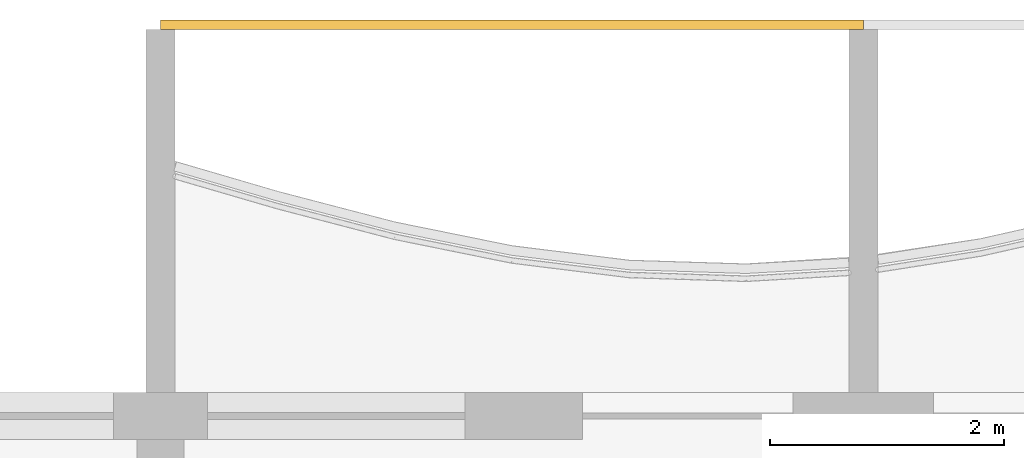
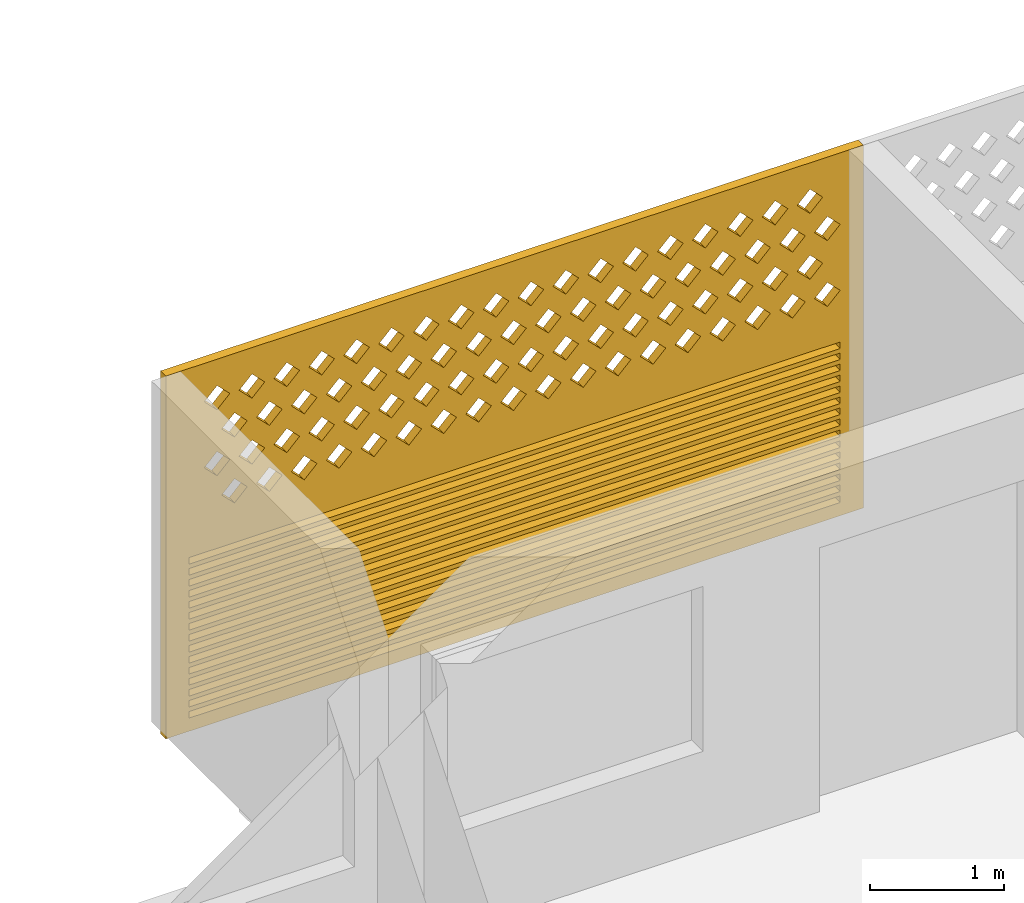
# One storey, part 42 of 44: 1 covering.
"""IFC4 building model written with IfcOpenShell, lengths in metres."""

from ifc_helpers import new_model, si_unit, direction, frame, origin, place, context, subcontext, project, spatial, polyline, outline, extrude, source, transform, mapped, material, material_profile, profile_set, type_object, element, save


model = new_model("IFC4")

# Units and contexts
model_context = context("Model", 3, precision=1e-05, world=origin(), true_north=direction((0.0, 1.0)))
body_context = subcontext(model_context, "Body", "Model", "MODEL_VIEW")
ifc_project = project(units=[si_unit("LENGTHUNIT", "METRE"), si_unit("AREAUNIT", "SQUARE_METRE"), si_unit("VOLUMEUNIT", "CUBIC_METRE"), si_unit("PLANEANGLEUNIT", "RADIAN"), si_unit("MASSUNIT", "GRAM", prefix="KILO")], contexts=[model_context])

# Site, building, storey
site_placement = place(None, origin())
site = spatial("IfcSite", under=ifc_project, at=site_placement, CompositionType="ELEMENT")
building_placement = place(site_placement, origin())
building = spatial("IfcBuilding", under=site, at=building_placement, Name="Poui Terraces", CompositionType="ELEMENT")
storey_placement = place(building_placement, frame((0.0, 0.0, 26.699951171875)))
storey = spatial("IfcBuildingStorey", under=building, at=storey_placement, Name="L06", CompositionType="ELEMENT", Elevation=26.699951171875)

# Covering
ifc_material = material(Name="Terracotta screen", Category="masonry")
ifc_material_profile = material_profile(ifc_material, outline(polyline([(-3.0, -1.64990234375), (3.0, -1.64990234375), (3.0, 1.64990234375), (-3.0, 1.64990234375), (-3.0, -1.64990234375)]), holes=[polyline([(-2.800048828125, 0.39990234375), (-2.68994140625, 0.2900390625), (-2.580078125, 0.39990234375), (-2.68994140625, 0.510009765625), (-2.800048828125, 0.39990234375)]), polyline([(-2.5, 0.39990234375), (-2.389892578125, 0.2900390625), (-2.280029296875, 0.39990234375), (-2.389892578125, 0.510009765625), (-2.5, 0.39990234375)]), polyline([(-2.199951171875, 0.39990234375), (-2.090087890625, 0.2900390625), (-1.97998046875, 0.39990234375), (-2.090087890625, 0.510009765625), (-2.199951171875, 0.39990234375)]), polyline([(-1.89990234375, 0.39990234375), (-1.7900390625, 0.2900390625), (-1.679931640625, 0.39990234375), (-1.7900390625, 0.510009765625), (-1.89990234375, 0.39990234375)]), polyline([(-1.60009765625, 0.39990234375), (-1.489990234375, 0.2900390625), (-1.3798828125, 0.39990234375), (-1.489990234375, 0.510009765625), (-1.60009765625, 0.39990234375)]), polyline([(-1.300048828125, 0.39990234375), (-1.18994140625, 0.2900390625), (-1.080078125, 0.39990234375), (-1.18994140625, 0.510009765625), (-1.300048828125, 0.39990234375)]), polyline([(-1.0, 0.39990234375), (-0.889892578125, 0.2900390625), (-0.780029296875, 0.39990234375), (-0.889892578125, 0.510009765625), (-1.0, 0.39990234375)]), polyline([(-0.699951171875, 0.39990234375), (-0.590087890625, 0.2900390625), (-0.47998046875, 0.39990234375), (-0.590087890625, 0.510009765625), (-0.699951171875, 0.39990234375)]), polyline([(-0.39990234375, 0.39990234375), (-0.2900390625, 0.2900390625), (-0.179931640625, 0.39990234375), (-0.2900390625, 0.510009765625), (-0.39990234375, 0.39990234375)]), polyline([(-0.10009765625, 0.39990234375), (0.010009765625, 0.2900390625), (0.1201171875, 0.39990234375), (0.010009765625, 0.510009765625), (-0.10009765625, 0.39990234375)]), polyline([(0.199951171875, 0.39990234375), (0.31005859375, 0.2900390625), (0.419921875, 0.39990234375), (0.31005859375, 0.510009765625), (0.199951171875, 0.39990234375)]), polyline([(0.5, 0.39990234375), (0.610107421875, 0.2900390625), (0.719970703125, 0.39990234375), (0.610107421875, 0.510009765625), (0.5, 0.39990234375)]), polyline([(0.800048828125, 0.39990234375), (0.909912109375, 0.2900390625), (1.02001953125, 0.39990234375), (0.909912109375, 0.510009765625), (0.800048828125, 0.39990234375)]), polyline([(1.10009765625, 0.39990234375), (1.2099609375, 0.2900390625), (1.320068359375, 0.39990234375), (1.2099609375, 0.510009765625), (1.10009765625, 0.39990234375)]), polyline([(1.39990234375, 0.39990234375), (1.510009765625, 0.2900390625), (1.6201171875, 0.39990234375), (1.510009765625, 0.510009765625), (1.39990234375, 0.39990234375)]), polyline([(1.699951171875, 0.39990234375), (1.81005859375, 0.2900390625), (1.919921875, 0.39990234375), (1.81005859375, 0.510009765625), (1.699951171875, 0.39990234375)]), polyline([(2.0, 0.39990234375), (2.110107421875, 0.2900390625), (2.219970703125, 0.39990234375), (2.110107421875, 0.510009765625), (2.0, 0.39990234375)]), polyline([(2.300048828125, 0.39990234375), (2.409912109375, 0.2900390625), (2.52001953125, 0.39990234375), (2.409912109375, 0.510009765625), (2.300048828125, 0.39990234375)]), polyline([(-2.64990234375, 0.699951171875), (-2.5400390625, 0.590087890625), (-2.429931640625, 0.699951171875), (-2.5400390625, 0.81005859375), (-2.64990234375, 0.699951171875)]), polyline([(-2.35009765625, 0.699951171875), (-2.239990234375, 0.590087890625), (-2.1298828125, 0.699951171875), (-2.239990234375, 0.81005859375), (-2.35009765625, 0.699951171875)]), polyline([(-2.050048828125, 0.699951171875), (-1.93994140625, 0.590087890625), (-1.830078125, 0.699951171875), (-1.93994140625, 0.81005859375), (-2.050048828125, 0.699951171875)]), polyline([(-1.75, 0.699951171875), (-1.639892578125, 0.590087890625), (-1.530029296875, 0.699951171875), (-1.639892578125, 0.81005859375), (-1.75, 0.699951171875)]), polyline([(-1.449951171875, 0.699951171875), (-1.340087890625, 0.590087890625), (-1.22998046875, 0.699951171875), (-1.340087890625, 0.81005859375), (-1.449951171875, 0.699951171875)]), polyline([(-1.14990234375, 0.699951171875), (-1.0400390625, 0.590087890625), (-0.929931640625, 0.699951171875), (-1.0400390625, 0.81005859375), (-1.14990234375, 0.699951171875)]), polyline([(-0.85009765625, 0.699951171875), (-0.739990234375, 0.590087890625), (-0.6298828125, 0.699951171875), (-0.739990234375, 0.81005859375), (-0.85009765625, 0.699951171875)]), polyline([(-0.550048828125, 0.699951171875), (-0.43994140625, 0.590087890625), (-0.330078125, 0.699951171875), (-0.43994140625, 0.81005859375), (-0.550048828125, 0.699951171875)]), polyline([(-0.25, 0.699951171875), (-0.139892578125, 0.590087890625), (-0.030029296875, 0.699951171875), (-0.139892578125, 0.81005859375), (-0.25, 0.699951171875)]), polyline([(0.050048828125, 0.699951171875), (0.159912109375, 0.590087890625), (0.27001953125, 0.699951171875), (0.159912109375, 0.81005859375), (0.050048828125, 0.699951171875)]), polyline([(0.35009765625, 0.699951171875), (0.4599609375, 0.590087890625), (0.570068359375, 0.699951171875), (0.4599609375, 0.81005859375), (0.35009765625, 0.699951171875)]), polyline([(0.64990234375, 0.699951171875), (0.760009765625, 0.590087890625), (0.8701171875, 0.699951171875), (0.760009765625, 0.81005859375), (0.64990234375, 0.699951171875)]), polyline([(0.949951171875, 0.699951171875), (1.06005859375, 0.590087890625), (1.169921875, 0.699951171875), (1.06005859375, 0.81005859375), (0.949951171875, 0.699951171875)]), polyline([(1.25, 0.699951171875), (1.360107421875, 0.590087890625), (1.469970703125, 0.699951171875), (1.360107421875, 0.81005859375), (1.25, 0.699951171875)]), polyline([(1.550048828125, 0.699951171875), (1.659912109375, 0.590087890625), (1.77001953125, 0.699951171875), (1.659912109375, 0.81005859375), (1.550048828125, 0.699951171875)]), polyline([(1.85009765625, 0.699951171875), (1.9599609375, 0.590087890625), (2.070068359375, 0.699951171875), (1.9599609375, 0.81005859375), (1.85009765625, 0.699951171875)]), polyline([(2.14990234375, 0.699951171875), (2.260009765625, 0.590087890625), (2.3701171875, 0.699951171875), (2.260009765625, 0.81005859375), (2.14990234375, 0.699951171875)]), polyline([(2.449951171875, 0.699951171875), (2.56005859375, 0.590087890625), (2.669921875, 0.699951171875), (2.56005859375, 0.81005859375), (2.449951171875, 0.699951171875)]), polyline([(-2.800048828125, 1.0), (-2.68994140625, 0.889892578125), (-2.580078125, 1.0), (-2.68994140625, 1.110107421875), (-2.800048828125, 1.0)]), polyline([(-2.5, 1.0), (-2.389892578125, 0.889892578125), (-2.280029296875, 1.0), (-2.389892578125, 1.110107421875), (-2.5, 1.0)]), polyline([(-2.199951171875, 1.0), (-2.090087890625, 0.889892578125), (-1.97998046875, 1.0), (-2.090087890625, 1.110107421875), (-2.199951171875, 1.0)]), polyline([(-1.89990234375, 1.0), (-1.7900390625, 0.889892578125), (-1.679931640625, 1.0), (-1.7900390625, 1.110107421875), (-1.89990234375, 1.0)]), polyline([(-1.60009765625, 1.0), (-1.489990234375, 0.889892578125), (-1.3798828125, 1.0), (-1.489990234375, 1.110107421875), (-1.60009765625, 1.0)]), polyline([(-1.300048828125, 1.0), (-1.18994140625, 0.889892578125), (-1.080078125, 1.0), (-1.18994140625, 1.110107421875), (-1.300048828125, 1.0)]), polyline([(-1.0, 1.0), (-0.889892578125, 0.889892578125), (-0.780029296875, 1.0), (-0.889892578125, 1.110107421875), (-1.0, 1.0)]), polyline([(-0.699951171875, 1.0), (-0.590087890625, 0.889892578125), (-0.47998046875, 1.0), (-0.590087890625, 1.110107421875), (-0.699951171875, 1.0)]), polyline([(-0.39990234375, 1.0), (-0.2900390625, 0.889892578125), (-0.179931640625, 1.0), (-0.2900390625, 1.110107421875), (-0.39990234375, 1.0)]), polyline([(-0.10009765625, 1.0), (0.010009765625, 0.889892578125), (0.1201171875, 1.0), (0.010009765625, 1.110107421875), (-0.10009765625, 1.0)]), polyline([(0.199951171875, 1.0), (0.31005859375, 0.889892578125), (0.419921875, 1.0), (0.31005859375, 1.110107421875), (0.199951171875, 1.0)]), polyline([(0.5, 1.0), (0.610107421875, 0.889892578125), (0.719970703125, 1.0), (0.610107421875, 1.110107421875), (0.5, 1.0)]), polyline([(0.800048828125, 1.0), (0.909912109375, 0.889892578125), (1.02001953125, 1.0), (0.909912109375, 1.110107421875), (0.800048828125, 1.0)]), polyline([(1.10009765625, 1.0), (1.2099609375, 0.889892578125), (1.320068359375, 1.0), (1.2099609375, 1.110107421875), (1.10009765625, 1.0)]), polyline([(1.39990234375, 1.0), (1.510009765625, 0.889892578125), (1.6201171875, 1.0), (1.510009765625, 1.110107421875), (1.39990234375, 1.0)]), polyline([(1.699951171875, 1.0), (1.81005859375, 0.889892578125), (1.919921875, 1.0), (1.81005859375, 1.110107421875), (1.699951171875, 1.0)]), polyline([(2.0, 1.0), (2.110107421875, 0.889892578125), (2.219970703125, 1.0), (2.110107421875, 1.110107421875), (2.0, 1.0)]), polyline([(2.300048828125, 1.0), (2.409912109375, 0.889892578125), (2.52001953125, 1.0), (2.409912109375, 1.110107421875), (2.300048828125, 1.0)]), polyline([(-2.64990234375, 1.300048828125), (-2.5400390625, 1.18994140625), (-2.429931640625, 1.300048828125), (-2.5400390625, 1.409912109375), (-2.64990234375, 1.300048828125)]), polyline([(-2.35009765625, 1.300048828125), (-2.239990234375, 1.18994140625), (-2.1298828125, 1.300048828125), (-2.239990234375, 1.409912109375), (-2.35009765625, 1.300048828125)]), polyline([(-2.050048828125, 1.300048828125), (-1.93994140625, 1.18994140625), (-1.830078125, 1.300048828125), (-1.93994140625, 1.409912109375), (-2.050048828125, 1.300048828125)]), polyline([(-1.75, 1.300048828125), (-1.639892578125, 1.18994140625), (-1.530029296875, 1.300048828125), (-1.639892578125, 1.409912109375), (-1.75, 1.300048828125)]), polyline([(-1.449951171875, 1.300048828125), (-1.340087890625, 1.18994140625), (-1.22998046875, 1.300048828125), (-1.340087890625, 1.409912109375), (-1.449951171875, 1.300048828125)]), polyline([(-1.14990234375, 1.300048828125), (-1.0400390625, 1.18994140625), (-0.929931640625, 1.300048828125), (-1.0400390625, 1.409912109375), (-1.14990234375, 1.300048828125)]), polyline([(-0.85009765625, 1.300048828125), (-0.739990234375, 1.18994140625), (-0.6298828125, 1.300048828125), (-0.739990234375, 1.409912109375), (-0.85009765625, 1.300048828125)]), polyline([(-0.550048828125, 1.300048828125), (-0.43994140625, 1.18994140625), (-0.330078125, 1.300048828125), (-0.43994140625, 1.409912109375), (-0.550048828125, 1.300048828125)]), polyline([(-0.25, 1.300048828125), (-0.139892578125, 1.18994140625), (-0.030029296875, 1.300048828125), (-0.139892578125, 1.409912109375), (-0.25, 1.300048828125)]), polyline([(0.050048828125, 1.300048828125), (0.159912109375, 1.18994140625), (0.27001953125, 1.300048828125), (0.159912109375, 1.409912109375), (0.050048828125, 1.300048828125)]), polyline([(0.35009765625, 1.300048828125), (0.4599609375, 1.18994140625), (0.570068359375, 1.300048828125), (0.4599609375, 1.409912109375), (0.35009765625, 1.300048828125)]), polyline([(0.64990234375, 1.300048828125), (0.760009765625, 1.18994140625), (0.8701171875, 1.300048828125), (0.760009765625, 1.409912109375), (0.64990234375, 1.300048828125)]), polyline([(0.949951171875, 1.300048828125), (1.06005859375, 1.18994140625), (1.169921875, 1.300048828125), (1.06005859375, 1.409912109375), (0.949951171875, 1.300048828125)]), polyline([(1.25, 1.300048828125), (1.360107421875, 1.18994140625), (1.469970703125, 1.300048828125), (1.360107421875, 1.409912109375), (1.25, 1.300048828125)]), polyline([(1.550048828125, 1.300048828125), (1.659912109375, 1.18994140625), (1.77001953125, 1.300048828125), (1.659912109375, 1.409912109375), (1.550048828125, 1.300048828125)]), polyline([(1.85009765625, 1.300048828125), (1.9599609375, 1.18994140625), (2.070068359375, 1.300048828125), (1.9599609375, 1.409912109375), (1.85009765625, 1.300048828125)]), polyline([(2.14990234375, 1.300048828125), (2.260009765625, 1.18994140625), (2.3701171875, 1.300048828125), (2.260009765625, 1.409912109375), (2.14990234375, 1.300048828125)]), polyline([(2.449951171875, 1.300048828125), (2.56005859375, 1.18994140625), (2.669921875, 1.300048828125), (2.56005859375, 1.409912109375), (2.449951171875, 1.300048828125)]), polyline([(-2.800048828125, -1.530029296875), (2.800048828125, -1.530029296875), (2.800048828125, -1.469970703125), (-2.800048828125, -1.469970703125), (-2.800048828125, -1.530029296875)]), polyline([(-2.800048828125, -1.429931640625), (2.800048828125, -1.429931640625), (2.800048828125, -1.3701171875), (-2.800048828125, -1.3701171875), (-2.800048828125, -1.429931640625)]), polyline([(-2.800048828125, -1.330078125), (2.800048828125, -1.330078125), (2.800048828125, -1.27001953125), (-2.800048828125, -1.27001953125), (-2.800048828125, -1.330078125)]), polyline([(-2.800048828125, -1.22998046875), (2.800048828125, -1.22998046875), (2.800048828125, -1.169921875), (-2.800048828125, -1.169921875), (-2.800048828125, -1.22998046875)]), polyline([(-2.800048828125, -1.1298828125), (2.800048828125, -1.1298828125), (2.800048828125, -1.070068359375), (-2.800048828125, -1.070068359375), (-2.800048828125, -1.1298828125)]), polyline([(-2.800048828125, -1.030029296875), (2.800048828125, -1.030029296875), (2.800048828125, -0.969970703125), (-2.800048828125, -0.969970703125), (-2.800048828125, -1.030029296875)]), polyline([(-2.800048828125, -0.929931640625), (2.800048828125, -0.929931640625), (2.800048828125, -0.8701171875), (-2.800048828125, -0.8701171875), (-2.800048828125, -0.929931640625)]), polyline([(-2.800048828125, -0.830078125), (2.800048828125, -0.830078125), (2.800048828125, -0.77001953125), (-2.800048828125, -0.77001953125), (-2.800048828125, -0.830078125)]), polyline([(-2.800048828125, -0.72998046875), (2.800048828125, -0.72998046875), (2.800048828125, -0.669921875), (-2.800048828125, -0.669921875), (-2.800048828125, -0.72998046875)]), polyline([(-2.800048828125, -0.6298828125), (2.800048828125, -0.6298828125), (2.800048828125, -0.570068359375), (-2.800048828125, -0.570068359375), (-2.800048828125, -0.6298828125)]), polyline([(-2.800048828125, -0.530029296875), (2.800048828125, -0.530029296875), (2.800048828125, -0.469970703125), (-2.800048828125, -0.469970703125), (-2.800048828125, -0.530029296875)]), polyline([(-2.800048828125, -0.429931640625), (2.800048828125, -0.429931640625), (2.800048828125, -0.3701171875), (-2.800048828125, -0.3701171875), (-2.800048828125, -0.429931640625)]), polyline([(-2.800048828125, -0.330078125), (2.800048828125, -0.330078125), (2.800048828125, -0.27001953125), (-2.800048828125, -0.27001953125), (-2.800048828125, -0.330078125)]), polyline([(-2.800048828125, -0.22998046875), (2.800048828125, -0.22998046875), (2.800048828125, -0.169921875), (-2.800048828125, -0.169921875), (-2.800048828125, -0.22998046875)]), polyline([(-2.800048828125, -0.1298828125), (2.800048828125, -0.1298828125), (2.800048828125, -0.070068359375), (-2.800048828125, -0.070068359375), (-2.800048828125, -0.1298828125)])]), Name="TERRACOTTA SCREEN AND JALOUSIE LOUVRE 6000X3300")
ifc_profile_set = profile_set([ifc_material_profile], Name="Terracotta screen")
covering_type = type_object("IfcCoveringType", Name="TERRACOTTA SCREEN AND JALOUSIE LOUVRE 6000X3300", PredefinedType="CLADDING", material=ifc_profile_set)
shared_shape = source(origin(), body_context, "Body", "SweptSolid", [
    extrude(outline(polyline([(-3.0, -1.64990234375), (3.0, -1.64990234375), (3.0, 1.64990234375), (-3.0, 1.64990234375), (-3.0, -1.64990234375)]), holes=[polyline([(-2.800048828125, 0.39990234375), (-2.68994140625, 0.2900390625), (-2.580078125, 0.39990234375), (-2.68994140625, 0.510009765625), (-2.800048828125, 0.39990234375)]), polyline([(-2.5, 0.39990234375), (-2.389892578125, 0.2900390625), (-2.280029296875, 0.39990234375), (-2.389892578125, 0.510009765625), (-2.5, 0.39990234375)]), polyline([(-2.199951171875, 0.39990234375), (-2.090087890625, 0.2900390625), (-1.97998046875, 0.39990234375), (-2.090087890625, 0.510009765625), (-2.199951171875, 0.39990234375)]), polyline([(-1.89990234375, 0.39990234375), (-1.7900390625, 0.2900390625), (-1.679931640625, 0.39990234375), (-1.7900390625, 0.510009765625), (-1.89990234375, 0.39990234375)]), polyline([(-1.60009765625, 0.39990234375), (-1.489990234375, 0.2900390625), (-1.3798828125, 0.39990234375), (-1.489990234375, 0.510009765625), (-1.60009765625, 0.39990234375)]), polyline([(-1.300048828125, 0.39990234375), (-1.18994140625, 0.2900390625), (-1.080078125, 0.39990234375), (-1.18994140625, 0.510009765625), (-1.300048828125, 0.39990234375)]), polyline([(-1.0, 0.39990234375), (-0.889892578125, 0.2900390625), (-0.780029296875, 0.39990234375), (-0.889892578125, 0.510009765625), (-1.0, 0.39990234375)]), polyline([(-0.699951171875, 0.39990234375), (-0.590087890625, 0.2900390625), (-0.47998046875, 0.39990234375), (-0.590087890625, 0.510009765625), (-0.699951171875, 0.39990234375)]), polyline([(-0.39990234375, 0.39990234375), (-0.2900390625, 0.2900390625), (-0.179931640625, 0.39990234375), (-0.2900390625, 0.510009765625), (-0.39990234375, 0.39990234375)]), polyline([(-0.10009765625, 0.39990234375), (0.010009765625, 0.2900390625), (0.1201171875, 0.39990234375), (0.010009765625, 0.510009765625), (-0.10009765625, 0.39990234375)]), polyline([(0.199951171875, 0.39990234375), (0.31005859375, 0.2900390625), (0.419921875, 0.39990234375), (0.31005859375, 0.510009765625), (0.199951171875, 0.39990234375)]), polyline([(0.5, 0.39990234375), (0.610107421875, 0.2900390625), (0.719970703125, 0.39990234375), (0.610107421875, 0.510009765625), (0.5, 0.39990234375)]), polyline([(0.800048828125, 0.39990234375), (0.909912109375, 0.2900390625), (1.02001953125, 0.39990234375), (0.909912109375, 0.510009765625), (0.800048828125, 0.39990234375)]), polyline([(1.10009765625, 0.39990234375), (1.2099609375, 0.2900390625), (1.320068359375, 0.39990234375), (1.2099609375, 0.510009765625), (1.10009765625, 0.39990234375)]), polyline([(1.39990234375, 0.39990234375), (1.510009765625, 0.2900390625), (1.6201171875, 0.39990234375), (1.510009765625, 0.510009765625), (1.39990234375, 0.39990234375)]), polyline([(1.699951171875, 0.39990234375), (1.81005859375, 0.2900390625), (1.919921875, 0.39990234375), (1.81005859375, 0.510009765625), (1.699951171875, 0.39990234375)]), polyline([(2.0, 0.39990234375), (2.110107421875, 0.2900390625), (2.219970703125, 0.39990234375), (2.110107421875, 0.510009765625), (2.0, 0.39990234375)]), polyline([(2.300048828125, 0.39990234375), (2.409912109375, 0.2900390625), (2.52001953125, 0.39990234375), (2.409912109375, 0.510009765625), (2.300048828125, 0.39990234375)]), polyline([(-2.64990234375, 0.699951171875), (-2.5400390625, 0.590087890625), (-2.429931640625, 0.699951171875), (-2.5400390625, 0.81005859375), (-2.64990234375, 0.699951171875)]), polyline([(-2.35009765625, 0.699951171875), (-2.239990234375, 0.590087890625), (-2.1298828125, 0.699951171875), (-2.239990234375, 0.81005859375), (-2.35009765625, 0.699951171875)]), polyline([(-2.050048828125, 0.699951171875), (-1.93994140625, 0.590087890625), (-1.830078125, 0.699951171875), (-1.93994140625, 0.81005859375), (-2.050048828125, 0.699951171875)]), polyline([(-1.75, 0.699951171875), (-1.639892578125, 0.590087890625), (-1.530029296875, 0.699951171875), (-1.639892578125, 0.81005859375), (-1.75, 0.699951171875)]), polyline([(-1.449951171875, 0.699951171875), (-1.340087890625, 0.590087890625), (-1.22998046875, 0.699951171875), (-1.340087890625, 0.81005859375), (-1.449951171875, 0.699951171875)]), polyline([(-1.14990234375, 0.699951171875), (-1.0400390625, 0.590087890625), (-0.929931640625, 0.699951171875), (-1.0400390625, 0.81005859375), (-1.14990234375, 0.699951171875)]), polyline([(-0.85009765625, 0.699951171875), (-0.739990234375, 0.590087890625), (-0.6298828125, 0.699951171875), (-0.739990234375, 0.81005859375), (-0.85009765625, 0.699951171875)]), polyline([(-0.550048828125, 0.699951171875), (-0.43994140625, 0.590087890625), (-0.330078125, 0.699951171875), (-0.43994140625, 0.81005859375), (-0.550048828125, 0.699951171875)]), polyline([(-0.25, 0.699951171875), (-0.139892578125, 0.590087890625), (-0.030029296875, 0.699951171875), (-0.139892578125, 0.81005859375), (-0.25, 0.699951171875)]), polyline([(0.050048828125, 0.699951171875), (0.159912109375, 0.590087890625), (0.27001953125, 0.699951171875), (0.159912109375, 0.81005859375), (0.050048828125, 0.699951171875)]), polyline([(0.35009765625, 0.699951171875), (0.4599609375, 0.590087890625), (0.570068359375, 0.699951171875), (0.4599609375, 0.81005859375), (0.35009765625, 0.699951171875)]), polyline([(0.64990234375, 0.699951171875), (0.760009765625, 0.590087890625), (0.8701171875, 0.699951171875), (0.760009765625, 0.81005859375), (0.64990234375, 0.699951171875)]), polyline([(0.949951171875, 0.699951171875), (1.06005859375, 0.590087890625), (1.169921875, 0.699951171875), (1.06005859375, 0.81005859375), (0.949951171875, 0.699951171875)]), polyline([(1.25, 0.699951171875), (1.360107421875, 0.590087890625), (1.469970703125, 0.699951171875), (1.360107421875, 0.81005859375), (1.25, 0.699951171875)]), polyline([(1.550048828125, 0.699951171875), (1.659912109375, 0.590087890625), (1.77001953125, 0.699951171875), (1.659912109375, 0.81005859375), (1.550048828125, 0.699951171875)]), polyline([(1.85009765625, 0.699951171875), (1.9599609375, 0.590087890625), (2.070068359375, 0.699951171875), (1.9599609375, 0.81005859375), (1.85009765625, 0.699951171875)]), polyline([(2.14990234375, 0.699951171875), (2.260009765625, 0.590087890625), (2.3701171875, 0.699951171875), (2.260009765625, 0.81005859375), (2.14990234375, 0.699951171875)]), polyline([(2.449951171875, 0.699951171875), (2.56005859375, 0.590087890625), (2.669921875, 0.699951171875), (2.56005859375, 0.81005859375), (2.449951171875, 0.699951171875)]), polyline([(-2.800048828125, 1.0), (-2.68994140625, 0.889892578125), (-2.580078125, 1.0), (-2.68994140625, 1.110107421875), (-2.800048828125, 1.0)]), polyline([(-2.5, 1.0), (-2.389892578125, 0.889892578125), (-2.280029296875, 1.0), (-2.389892578125, 1.110107421875), (-2.5, 1.0)]), polyline([(-2.199951171875, 1.0), (-2.090087890625, 0.889892578125), (-1.97998046875, 1.0), (-2.090087890625, 1.110107421875), (-2.199951171875, 1.0)]), polyline([(-1.89990234375, 1.0), (-1.7900390625, 0.889892578125), (-1.679931640625, 1.0), (-1.7900390625, 1.110107421875), (-1.89990234375, 1.0)]), polyline([(-1.60009765625, 1.0), (-1.489990234375, 0.889892578125), (-1.3798828125, 1.0), (-1.489990234375, 1.110107421875), (-1.60009765625, 1.0)]), polyline([(-1.300048828125, 1.0), (-1.18994140625, 0.889892578125), (-1.080078125, 1.0), (-1.18994140625, 1.110107421875), (-1.300048828125, 1.0)]), polyline([(-1.0, 1.0), (-0.889892578125, 0.889892578125), (-0.780029296875, 1.0), (-0.889892578125, 1.110107421875), (-1.0, 1.0)]), polyline([(-0.699951171875, 1.0), (-0.590087890625, 0.889892578125), (-0.47998046875, 1.0), (-0.590087890625, 1.110107421875), (-0.699951171875, 1.0)]), polyline([(-0.39990234375, 1.0), (-0.2900390625, 0.889892578125), (-0.179931640625, 1.0), (-0.2900390625, 1.110107421875), (-0.39990234375, 1.0)]), polyline([(-0.10009765625, 1.0), (0.010009765625, 0.889892578125), (0.1201171875, 1.0), (0.010009765625, 1.110107421875), (-0.10009765625, 1.0)]), polyline([(0.199951171875, 1.0), (0.31005859375, 0.889892578125), (0.419921875, 1.0), (0.31005859375, 1.110107421875), (0.199951171875, 1.0)]), polyline([(0.5, 1.0), (0.610107421875, 0.889892578125), (0.719970703125, 1.0), (0.610107421875, 1.110107421875), (0.5, 1.0)]), polyline([(0.800048828125, 1.0), (0.909912109375, 0.889892578125), (1.02001953125, 1.0), (0.909912109375, 1.110107421875), (0.800048828125, 1.0)]), polyline([(1.10009765625, 1.0), (1.2099609375, 0.889892578125), (1.320068359375, 1.0), (1.2099609375, 1.110107421875), (1.10009765625, 1.0)]), polyline([(1.39990234375, 1.0), (1.510009765625, 0.889892578125), (1.6201171875, 1.0), (1.510009765625, 1.110107421875), (1.39990234375, 1.0)]), polyline([(1.699951171875, 1.0), (1.81005859375, 0.889892578125), (1.919921875, 1.0), (1.81005859375, 1.110107421875), (1.699951171875, 1.0)]), polyline([(2.0, 1.0), (2.110107421875, 0.889892578125), (2.219970703125, 1.0), (2.110107421875, 1.110107421875), (2.0, 1.0)]), polyline([(2.300048828125, 1.0), (2.409912109375, 0.889892578125), (2.52001953125, 1.0), (2.409912109375, 1.110107421875), (2.300048828125, 1.0)]), polyline([(-2.64990234375, 1.300048828125), (-2.5400390625, 1.18994140625), (-2.429931640625, 1.300048828125), (-2.5400390625, 1.409912109375), (-2.64990234375, 1.300048828125)]), polyline([(-2.35009765625, 1.300048828125), (-2.239990234375, 1.18994140625), (-2.1298828125, 1.300048828125), (-2.239990234375, 1.409912109375), (-2.35009765625, 1.300048828125)]), polyline([(-2.050048828125, 1.300048828125), (-1.93994140625, 1.18994140625), (-1.830078125, 1.300048828125), (-1.93994140625, 1.409912109375), (-2.050048828125, 1.300048828125)]), polyline([(-1.75, 1.300048828125), (-1.639892578125, 1.18994140625), (-1.530029296875, 1.300048828125), (-1.639892578125, 1.409912109375), (-1.75, 1.300048828125)]), polyline([(-1.449951171875, 1.300048828125), (-1.340087890625, 1.18994140625), (-1.22998046875, 1.300048828125), (-1.340087890625, 1.409912109375), (-1.449951171875, 1.300048828125)]), polyline([(-1.14990234375, 1.300048828125), (-1.0400390625, 1.18994140625), (-0.929931640625, 1.300048828125), (-1.0400390625, 1.409912109375), (-1.14990234375, 1.300048828125)]), polyline([(-0.85009765625, 1.300048828125), (-0.739990234375, 1.18994140625), (-0.6298828125, 1.300048828125), (-0.739990234375, 1.409912109375), (-0.85009765625, 1.300048828125)]), polyline([(-0.550048828125, 1.300048828125), (-0.43994140625, 1.18994140625), (-0.330078125, 1.300048828125), (-0.43994140625, 1.409912109375), (-0.550048828125, 1.300048828125)]), polyline([(-0.25, 1.300048828125), (-0.139892578125, 1.18994140625), (-0.030029296875, 1.300048828125), (-0.139892578125, 1.409912109375), (-0.25, 1.300048828125)]), polyline([(0.050048828125, 1.300048828125), (0.159912109375, 1.18994140625), (0.27001953125, 1.300048828125), (0.159912109375, 1.409912109375), (0.050048828125, 1.300048828125)]), polyline([(0.35009765625, 1.300048828125), (0.4599609375, 1.18994140625), (0.570068359375, 1.300048828125), (0.4599609375, 1.409912109375), (0.35009765625, 1.300048828125)]), polyline([(0.64990234375, 1.300048828125), (0.760009765625, 1.18994140625), (0.8701171875, 1.300048828125), (0.760009765625, 1.409912109375), (0.64990234375, 1.300048828125)]), polyline([(0.949951171875, 1.300048828125), (1.06005859375, 1.18994140625), (1.169921875, 1.300048828125), (1.06005859375, 1.409912109375), (0.949951171875, 1.300048828125)]), polyline([(1.25, 1.300048828125), (1.360107421875, 1.18994140625), (1.469970703125, 1.300048828125), (1.360107421875, 1.409912109375), (1.25, 1.300048828125)]), polyline([(1.550048828125, 1.300048828125), (1.659912109375, 1.18994140625), (1.77001953125, 1.300048828125), (1.659912109375, 1.409912109375), (1.550048828125, 1.300048828125)]), polyline([(1.85009765625, 1.300048828125), (1.9599609375, 1.18994140625), (2.070068359375, 1.300048828125), (1.9599609375, 1.409912109375), (1.85009765625, 1.300048828125)]), polyline([(2.14990234375, 1.300048828125), (2.260009765625, 1.18994140625), (2.3701171875, 1.300048828125), (2.260009765625, 1.409912109375), (2.14990234375, 1.300048828125)]), polyline([(2.449951171875, 1.300048828125), (2.56005859375, 1.18994140625), (2.669921875, 1.300048828125), (2.56005859375, 1.409912109375), (2.449951171875, 1.300048828125)]), polyline([(-2.800048828125, -1.530029296875), (2.800048828125, -1.530029296875), (2.800048828125, -1.469970703125), (-2.800048828125, -1.469970703125), (-2.800048828125, -1.530029296875)]), polyline([(-2.800048828125, -1.429931640625), (2.800048828125, -1.429931640625), (2.800048828125, -1.3701171875), (-2.800048828125, -1.3701171875), (-2.800048828125, -1.429931640625)]), polyline([(-2.800048828125, -1.330078125), (2.800048828125, -1.330078125), (2.800048828125, -1.27001953125), (-2.800048828125, -1.27001953125), (-2.800048828125, -1.330078125)]), polyline([(-2.800048828125, -1.22998046875), (2.800048828125, -1.22998046875), (2.800048828125, -1.169921875), (-2.800048828125, -1.169921875), (-2.800048828125, -1.22998046875)]), polyline([(-2.800048828125, -1.1298828125), (2.800048828125, -1.1298828125), (2.800048828125, -1.070068359375), (-2.800048828125, -1.070068359375), (-2.800048828125, -1.1298828125)]), polyline([(-2.800048828125, -1.030029296875), (2.800048828125, -1.030029296875), (2.800048828125, -0.969970703125), (-2.800048828125, -0.969970703125), (-2.800048828125, -1.030029296875)]), polyline([(-2.800048828125, -0.929931640625), (2.800048828125, -0.929931640625), (2.800048828125, -0.8701171875), (-2.800048828125, -0.8701171875), (-2.800048828125, -0.929931640625)]), polyline([(-2.800048828125, -0.830078125), (2.800048828125, -0.830078125), (2.800048828125, -0.77001953125), (-2.800048828125, -0.77001953125), (-2.800048828125, -0.830078125)]), polyline([(-2.800048828125, -0.72998046875), (2.800048828125, -0.72998046875), (2.800048828125, -0.669921875), (-2.800048828125, -0.669921875), (-2.800048828125, -0.72998046875)]), polyline([(-2.800048828125, -0.6298828125), (2.800048828125, -0.6298828125), (2.800048828125, -0.570068359375), (-2.800048828125, -0.570068359375), (-2.800048828125, -0.6298828125)]), polyline([(-2.800048828125, -0.530029296875), (2.800048828125, -0.530029296875), (2.800048828125, -0.469970703125), (-2.800048828125, -0.469970703125), (-2.800048828125, -0.530029296875)]), polyline([(-2.800048828125, -0.429931640625), (2.800048828125, -0.429931640625), (2.800048828125, -0.3701171875), (-2.800048828125, -0.3701171875), (-2.800048828125, -0.429931640625)]), polyline([(-2.800048828125, -0.330078125), (2.800048828125, -0.330078125), (2.800048828125, -0.27001953125), (-2.800048828125, -0.27001953125), (-2.800048828125, -0.330078125)]), polyline([(-2.800048828125, -0.22998046875), (2.800048828125, -0.22998046875), (2.800048828125, -0.169921875), (-2.800048828125, -0.169921875), (-2.800048828125, -0.22998046875)]), polyline([(-2.800048828125, -0.1298828125), (2.800048828125, -0.1298828125), (2.800048828125, -0.070068359375), (-2.800048828125, -0.070068359375), (-2.800048828125, -0.1298828125)])]), origin(), (0.0, 0.0, 1.0), 0.079833984375),
])
covering_placement = place(storey_placement, frame((87.0, 48.10009765625, 1.449951171875), z_axis=(0.0, 1.0, 0.0), x_axis=(-1.0, 0.0, 0.0)))
element("IfcCovering", 1, at=covering_placement, inside=storey, type_object=covering_type, Name="SOLAR SCREEN AND JALOUSIE LOUVRE", PredefinedType="CLADDING", context=body_context, shape_type="MappedRepresentation", body=[
    mapped(shared_shape, transform((0.0, 0.0, 0.0))),
])

save(model, "model.ifc")
